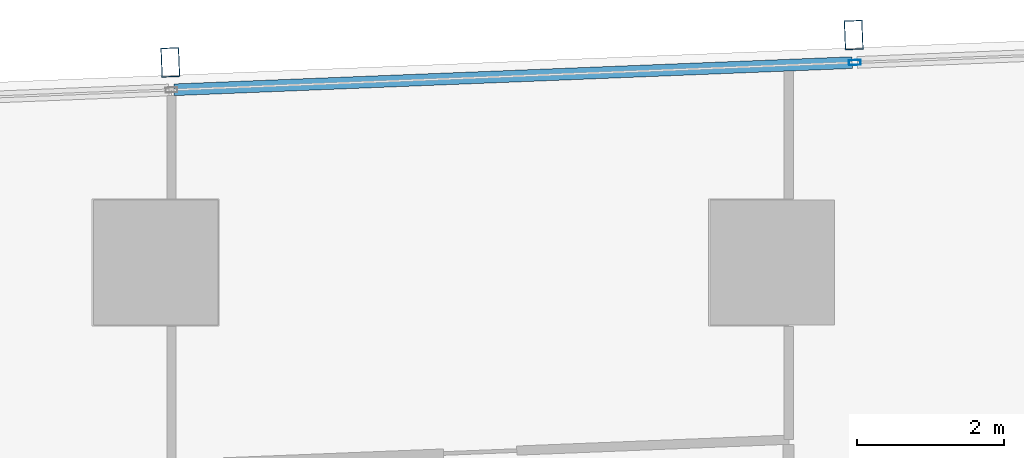
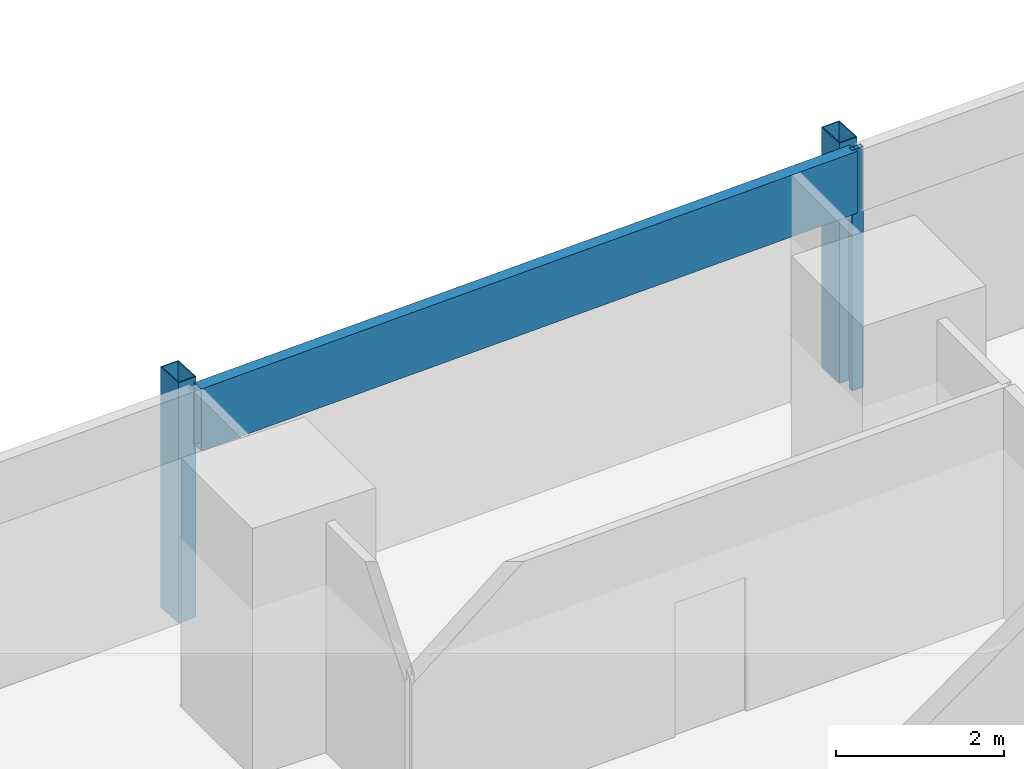
# One storey, part 17 of 40: 4 members, 1 element without a shape of its own.
"""IFC4 building model written with IfcOpenShell, lengths in metres."""

from ifc_helpers import new_model, si_unit, direction, frame, origin, origin_2d, place, context, subcontext, project, spatial, hollow_rectangle, extrude, material, material_profile, profile_set, type_object, element, aggregate, save


model = new_model("IFC4")

# Units and contexts
model_context = context("Model", 3, precision=1e-05, world=origin(), true_north=direction((0.0, 1.0)))
body_context = subcontext(model_context, "Body", "Model", "MODEL_VIEW")
ifc_project = project(units=[si_unit("LENGTHUNIT", "METRE"), si_unit("AREAUNIT", "SQUARE_METRE"), si_unit("VOLUMEUNIT", "CUBIC_METRE"), si_unit("PLANEANGLEUNIT", "RADIAN"), si_unit("MASSUNIT", "GRAM", prefix="KILO")], contexts=[model_context])

# Site, building, storey
site_placement = place(None, origin())
site = spatial("IfcSite", under=ifc_project, at=site_placement, CompositionType="ELEMENT")
building_placement = place(site_placement, origin())
building = spatial("IfcBuilding", under=site, at=building_placement, Name="Rekha Terrace Tower", CompositionType="ELEMENT")
storey_placement = place(building_placement, frame((0.0, 0.0, 136.550048828125)))
storey = spatial("IfcBuildingStorey", under=building, at=storey_placement, Name="L34", CompositionType="ELEMENT", Elevation=136.550048828125)

# Curtain wall, members
ifc_material_1 = material(Name="Aluminium framing", Category="aluminium")
curtain_wall_type = type_object("IfcCurtainWallType", Name="CW3 north unitised glazing", PredefinedType="USERDEFINED", material=ifc_material_1)
curtain_wall_placement = place(storey_placement, origin())
curtain_wall = element("IfcCurtainWall", 1, at=curtain_wall_placement, inside=storey, type_object=curtain_wall_type, Name="CW3 unitised curtain wall", ObjectType="UNITISED CURTAIN WALL", PredefinedType="USERDEFINED")
ifc_material_2 = material(Name="Steel S355 with fluorocarbon finish", Category="steel")
ifc_material_profile_1 = material_profile(ifc_material_2, hollow_rectangle(XDim=0.25, YDim=0.39990234375, WallThickness=0.012451171875, at=origin_2d()), Name="RHS400x250x12.5")
ifc_profile_set_1 = profile_set([ifc_material_profile_1], Name="Steel S355 with fluorocarbon finish")
member_type_1 = type_object("IfcMemberType", Name="BL1 facade blade RHS 400 x 250", PredefinedType="USERDEFINED", material=ifc_profile_set_1)
member_1_placement = place(storey_placement, frame((34.7109375, 61.9013671875, 0.0), z_axis=(0.0, 0.0, 1.0), x_axis=(-0.999198382632, -0.040032388711, 0.0)))
member_1 = element("IfcMember", 2, at=member_1_placement, type_object=member_type_1, Name="Facade blade", ObjectType="FACADE BLADE", PredefinedType="USERDEFINED", context=body_context, shape_type="SweptSolid", body=[
    extrude(hollow_rectangle(XDim=0.25, YDim=0.39990234375, WallThickness=0.012451171875, at=origin_2d()), origin(), (0.0, 0.0, 1.0), 3.5),
])
member_2_placement = place(storey_placement, frame((25.39892578125, 61.5283203125, 0.0), z_axis=(0.0, 0.0, 1.0), x_axis=(-0.999198382632, -0.040032388711, 0.0)))
member_2 = element("IfcMember", 3, at=member_2_placement, type_object=member_type_1, Name="Facade blade", ObjectType="FACADE BLADE", PredefinedType="USERDEFINED", context=body_context, shape_type="SweptSolid", body=[
    extrude(hollow_rectangle(XDim=0.25, YDim=0.39990234375, WallThickness=0.012451171875, at=origin_2d()), origin(), (0.0, 0.0, 1.0), 3.5),
])
ifc_material_3 = material(Name="Aluminium mullion section", Category="aluminium")
ifc_material_profile_2 = material_profile(ifc_material_3, hollow_rectangle(XDim=0.070068359375, YDim=0.159912109375, WallThickness=0.00390625, at=origin_2d()), Name="AL RHS 70x160")
ifc_profile_set_2 = profile_set([ifc_material_profile_2], Name="Aluminium mullion section")
member_type_2 = type_object("IfcMemberType", Name="CW3 mullion RHS 70 x 160", PredefinedType="MULLION", material=ifc_profile_set_2)
member_3_placement = place(storey_placement, frame((34.725830078125, 61.526611328125, 0.0), z_axis=(0.0, 0.0, 1.0), x_axis=(0.040031987119, -0.999198398721, 0.0)))
member_3 = element("IfcMember", 4, at=member_3_placement, type_object=member_type_2, Name="CW3 mullion 2", PredefinedType="MULLION", context=body_context, shape_type="SweptSolid", body=[
    extrude(hollow_rectangle(XDim=0.070068359375, YDim=0.159912109375, WallThickness=0.00390625, at=origin_2d()), origin(), (0.0, 0.0, 1.0), 3.5),
])
ifc_material_4 = material(Name="Insulated aluminium spandrel box", Category="aluminium")
ifc_material_profile_3 = material_profile(ifc_material_4, hollow_rectangle(XDim=0.159912109375, YDim=0.89990234375, WallThickness=0.0029296875, at=origin_2d()), Name="AL SPANDREL BOX 160x900")
ifc_profile_set_3 = profile_set([ifc_material_profile_3], Name="Insulated aluminium spandrel box")
member_type_3 = type_object("IfcMemberType", Name="CW3 spandrel transom 160 x 900", PredefinedType="USERDEFINED", material=ifc_profile_set_3)
member_4_placement = place(storey_placement, frame((34.69091796875, 61.525390625, 3.050048828125), z_axis=(-0.999198046754, -0.040040771263, 0.0), x_axis=(0.040040771263, -0.999198046754, 0.0)))
member_4 = element("IfcMember", 5, at=member_4_placement, type_object=member_type_3, Name="CW3 spandrel transom 2", ObjectType="TRANSOM", PredefinedType="USERDEFINED", context=body_context, shape_type="SweptSolid", body=[
    extrude(hollow_rectangle(XDim=0.159912109375, YDim=0.89990234375, WallThickness=0.0029296875, at=origin_2d()), origin(), (0.0, 0.0, 1.0), 9.24951171875),
])
aggregate(curtain_wall, [member_3, member_4, member_1, member_2])

save(model, "model.ifc")
